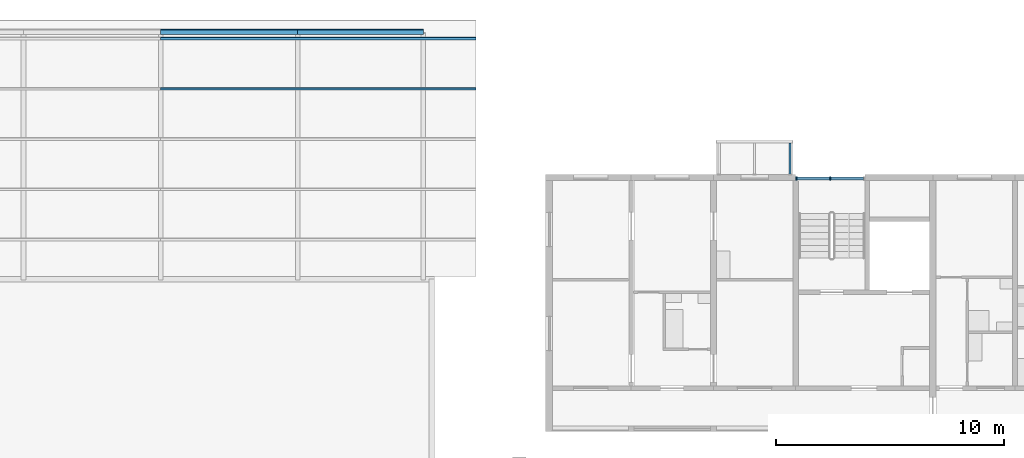
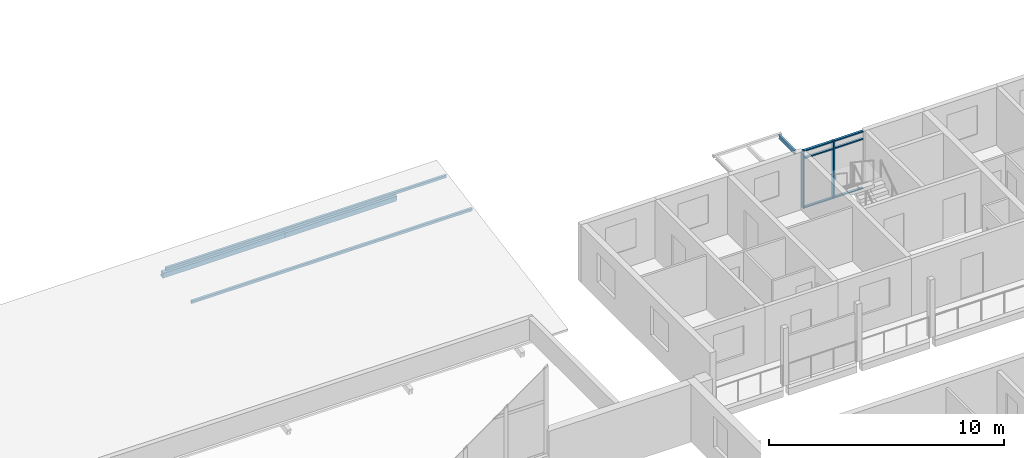
# One storey, part 35 of 122: 10 members, 3 beams, 1 element without a shape of its own.
"""IFC4 building model written with IfcOpenShell, lengths in metres."""

from ifc_helpers import new_model, si_unit, direction, frame, origin, origin_2d, place, context, subcontext, project, spatial, rectangle, hollow_rectangle, i_section, extrude, material, material_profile, profile_set, type_object, element, aggregate, save


model = new_model("IFC4")

# Units and contexts
model_context = context("Model", 3, precision=1e-05, world=origin(), true_north=direction((0.0, 1.0)))
body_context = subcontext(model_context, "Body", "Model", "MODEL_VIEW")
ifc_project = project(units=[si_unit("LENGTHUNIT", "METRE"), si_unit("AREAUNIT", "SQUARE_METRE"), si_unit("VOLUMEUNIT", "CUBIC_METRE"), si_unit("PLANEANGLEUNIT", "RADIAN"), si_unit("MASSUNIT", "GRAM", prefix="KILO")], contexts=[model_context])

# Site, building, storey
site_placement = place(None, origin())
site = spatial("IfcSite", under=ifc_project, at=site_placement, CompositionType="ELEMENT")
building_placement = place(site_placement, origin())
building = spatial("IfcBuilding", under=site, at=building_placement, Name="Ridgestep Commons", CompositionType="ELEMENT")
storey_placement = place(building_placement, frame((0.0, 0.0, 3.0)))
storey = spatial("IfcBuildingStorey", under=building, at=storey_placement, Name="L01", CompositionType="ELEMENT", Elevation=3.0)

# Beams
ifc_material_1 = material(Name="Structural steel S355JR", Category="steel")
ifc_material_profile_1 = material_profile(ifc_material_1, hollow_rectangle(XDim=0.199951171875, YDim=0.300048828125, WallThickness=0.010009765625, at=origin_2d()), Name="RHS 300x200x10")
ifc_profile_set_1 = profile_set([ifc_material_profile_1], Name="Structural steel S355JR")
beam_type_1 = type_object("IfcBeamType", Name="Canopy beam RHS 300 x 200 x 10", PredefinedType="BEAM", material=ifc_profile_set_1)
beam_1_placement = place(storey_placement, frame((129.800048828125, 83.505615234375, 2.382568359375), z_axis=(1.0, 0.0, 0.0), x_axis=(0.0, 0.984422707775, 0.175817895609)))
element("IfcBeam", 1, at=beam_1_placement, inside=storey, type_object=beam_type_1, Name="Canopy front beam", PredefinedType="BEAM", context=body_context, shape_type="SweptSolid", body=[
    extrude(hollow_rectangle(XDim=0.199951171875, YDim=0.300048828125, WallThickness=0.010009765625, at=origin_2d()), origin(), (0.0, 0.0, 1.0), 6.0),
])
beam_2_placement = place(storey_placement, frame((135.800048828125, 83.505615234375, 2.382568359375), z_axis=(1.0, 0.0, 0.0), x_axis=(0.0, 0.984422707775, 0.175817895609)))
element("IfcBeam", 2, at=beam_2_placement, inside=storey, type_object=beam_type_1, Name="Canopy front beam", PredefinedType="BEAM", context=body_context, shape_type="SweptSolid", body=[
    extrude(hollow_rectangle(XDim=0.199951171875, YDim=0.300048828125, WallThickness=0.010009765625, at=origin_2d()), origin(), (0.0, 0.0, 1.0), 5.5),
])

# Members
ifc_material_2 = material(Name="Structural steel S355JR", Category="steel")
ifc_material_profile_2 = material_profile(ifc_material_2, hollow_rectangle(XDim=0.10009765625, YDim=0.14990234375, WallThickness=0.006103515625, at=origin_2d()), Name="RHS 150x100x6")
ifc_profile_set_2 = profile_set([ifc_material_profile_2], Name="Structural steel S355JR")
member_type_1 = type_object("IfcMemberType", Name="Canopy purlin RHS 150 x 100 x 6", PredefinedType="PURLIN", material=ifc_profile_set_2)
for number, where, z_axis, x_axis, name in (
    (3, (129.800048828125, 81.01318359375, 2.470703125), (1.0, 0.0, 0.0), (0.0, 0.984422707775, 0.175817895609), "Canopy purlin"),
    (4, (129.800048828125, 83.213134765625, 2.863525390625), (1.0, 0.0, 0.0), (0.0, 0.984422707775, 0.175817895609), "Canopy purlin"),
):
    element("IfcMember", number, at=place(storey_placement, frame(where, z_axis=z_axis, x_axis=x_axis)), inside=storey, type_object=member_type_1, Name=name, PredefinedType="PURLIN", context=body_context, shape_type="SweptSolid", body=[
        extrude(hollow_rectangle(XDim=0.10009765625, YDim=0.14990234375, WallThickness=0.006103515625, at=origin_2d()), origin(), (0.0, 0.0, 1.0), 13.800048828125),
    ])

# Curtain wall, members
ifc_material_3 = material(Name="Aluminium 6063-T6 and glass", Category="aluminium")
curtain_wall_type = type_object("IfcCurtainWallType", Name="Curtain wall stair strip", PredefinedType="NOTDEFINED", material=ifc_material_3)
curtain_wall_placement = place(storey_placement, origin())
curtain_wall = element("IfcCurtainWall", 5, at=curtain_wall_placement, inside=storey, type_object=curtain_wall_type, Name="Curtain wall C1C level 01", PredefinedType="NOTDEFINED")
ifc_material_4 = material(Name="Aluminium 6063-T6", Category="aluminium")
ifc_material_profile_3 = material_profile(ifc_material_4, rectangle(XDim=0.159912109375, YDim=0.06005859375, at=origin_2d()), Name="Mullion 60 x 160")
ifc_profile_set_3 = profile_set([ifc_material_profile_3], Name="Aluminium 6063-T6")
member_type_2 = type_object("IfcMemberType", Name="Mullion 60 x 160", PredefinedType="MULLION", material=ifc_profile_set_3)
member_1_placement = place(storey_placement, frame((157.6298828125, 77.080078125, 0.0), z_axis=(0.0, 0.0, 1.0), x_axis=(0.0, 1.0, 0.0)))
member_1 = element("IfcMember", 6, at=member_1_placement, type_object=member_type_2, Name="CW1 mullion 1", PredefinedType="MULLION", context=body_context, shape_type="SweptSolid", body=[
    extrude(rectangle(XDim=0.159912109375, YDim=0.06005859375, at=origin_2d()), origin(), (0.0, 0.0, 1.0), 3.0),
])
member_2_placement = place(storey_placement, frame((159.112548828125, 77.080078125, 0.0), z_axis=(0.0, 0.0, 1.0), x_axis=(0.0, 1.0, 0.0)))
member_2 = element("IfcMember", 7, at=member_2_placement, type_object=member_type_2, Name="CW1 mullion 2", PredefinedType="MULLION", context=body_context, shape_type="SweptSolid", body=[
    extrude(rectangle(XDim=0.159912109375, YDim=0.06005859375, at=origin_2d()), origin(), (0.0, 0.0, 1.0), 3.0),
])
ifc_material_5 = material(Name="Aluminium 6063-T6", Category="aluminium")
ifc_material_profile_4 = material_profile(ifc_material_5, rectangle(XDim=0.1201171875, YDim=0.06005859375, at=origin_2d()), Name="Transom 60 x 120")
ifc_profile_set_4 = profile_set([ifc_material_profile_4], Name="Aluminium 6063-T6")
member_type_3 = type_object("IfcMemberType", Name="Transom 60 x 120", PredefinedType="USERDEFINED", material=ifc_profile_set_4)
member_3_placement = place(storey_placement, frame((157.659912109375, 77.080078125, 0.030029296875), z_axis=(1.0, 0.0, 0.0), x_axis=(0.0, 1.0, 0.0)))
member_3 = element("IfcMember", 8, at=member_3_placement, type_object=member_type_3, Name="CW1 transom 1.1", ObjectType="TRANSOM", PredefinedType="USERDEFINED", context=body_context, shape_type="SweptSolid", body=[
    extrude(rectangle(XDim=0.1201171875, YDim=0.06005859375, at=origin_2d()), origin(), (0.0, 0.0, 1.0), 1.422607421875),
])
member_4_placement = place(storey_placement, frame((157.659912109375, 77.080078125, 2.590087890625), z_axis=(1.0, 0.0, 0.0), x_axis=(0.0, 1.0, 0.0)))
member_4 = element("IfcMember", 9, at=member_4_placement, type_object=member_type_3, Name="CW1 transom 1.2", ObjectType="TRANSOM", PredefinedType="USERDEFINED", context=body_context, shape_type="SweptSolid", body=[
    extrude(rectangle(XDim=0.1201171875, YDim=0.06005859375, at=origin_2d()), origin(), (0.0, 0.0, 1.0), 1.422607421875),
])
member_5_placement = place(storey_placement, frame((157.659912109375, 77.080078125, 2.969970703125), z_axis=(1.0, 0.0, 0.0), x_axis=(0.0, 1.0, 0.0)))
member_5 = element("IfcMember", 10, at=member_5_placement, type_object=member_type_3, Name="CW1 transom 1.3", ObjectType="TRANSOM", PredefinedType="USERDEFINED", context=body_context, shape_type="SweptSolid", body=[
    extrude(rectangle(XDim=0.1201171875, YDim=0.06005859375, at=origin_2d()), origin(), (0.0, 0.0, 1.0), 1.422607421875),
])
member_6_placement = place(storey_placement, frame((159.142578125, 77.080078125, 0.030029296875), z_axis=(1.0, 0.0, 0.0), x_axis=(0.0, 1.0, 0.0)))
member_6 = element("IfcMember", 11, at=member_6_placement, type_object=member_type_3, Name="CW1 transom 2.1", ObjectType="TRANSOM", PredefinedType="USERDEFINED", context=body_context, shape_type="SweptSolid", body=[
    extrude(rectangle(XDim=0.1201171875, YDim=0.06005859375, at=origin_2d()), origin(), (0.0, 0.0, 1.0), 1.42236328125),
])
member_7_placement = place(storey_placement, frame((159.142578125, 77.080078125, 2.590087890625), z_axis=(1.0, 0.0, 0.0), x_axis=(0.0, 1.0, 0.0)))
member_7 = element("IfcMember", 12, at=member_7_placement, type_object=member_type_3, Name="CW1 transom 2.2", ObjectType="TRANSOM", PredefinedType="USERDEFINED", context=body_context, shape_type="SweptSolid", body=[
    extrude(rectangle(XDim=0.1201171875, YDim=0.06005859375, at=origin_2d()), origin(), (0.0, 0.0, 1.0), 1.42236328125),
])
member_8_placement = place(storey_placement, frame((159.142578125, 77.080078125, 2.969970703125), z_axis=(1.0, 0.0, 0.0), x_axis=(0.0, 1.0, 0.0)))
member_8 = element("IfcMember", 13, at=member_8_placement, type_object=member_type_3, Name="CW1 transom 2.3", ObjectType="TRANSOM", PredefinedType="USERDEFINED", context=body_context, shape_type="SweptSolid", body=[
    extrude(rectangle(XDim=0.1201171875, YDim=0.06005859375, at=origin_2d()), origin(), (0.0, 0.0, 1.0), 1.42236328125),
])
aggregate(curtain_wall, [member_1, member_2, member_3, member_4, member_5, member_6, member_7, member_8])

# Beam
ifc_material_6 = material(Name="Weathering steel S355J2W", Category="steel")
ifc_material_profile_5 = material_profile(ifc_material_6, i_section(OverallWidth=0.101806640625, OverallDepth=0.203125, WebThickness=0.00537109375, FlangeThickness=0.00927734375, FilletRadius=0.007568359375, at=origin_2d()), Name="UB 203x102x23")
ifc_profile_set_5 = profile_set([ifc_material_profile_5], Name="Weathering steel S355J2W")
beam_type_2 = type_object("IfcBeamType", Name="Tray arm UB 203x102x23", PredefinedType="BEAM", material=ifc_profile_set_5)
beam_3_placement = place(storey_placement, frame((157.35009765625, 77.264892578125, 2.888427734375), z_axis=(0.0, 1.0, 0.0), x_axis=(-1.0, 0.0, 0.0)))
element("IfcBeam", 14, at=beam_3_placement, inside=storey, type_object=beam_type_2, Name="Tray arm C1T3-02.3", PredefinedType="BEAM", context=body_context, shape_type="SweptSolid", body=[
    extrude(i_section(OverallWidth=0.101806640625, OverallDepth=0.203125, WebThickness=0.00537109375, FlangeThickness=0.00927734375, FilletRadius=0.007568359375, at=origin_2d()), origin(), (0.0, 0.0, 1.0), 1.364990234375),
])

save(model, "model.ifc")
